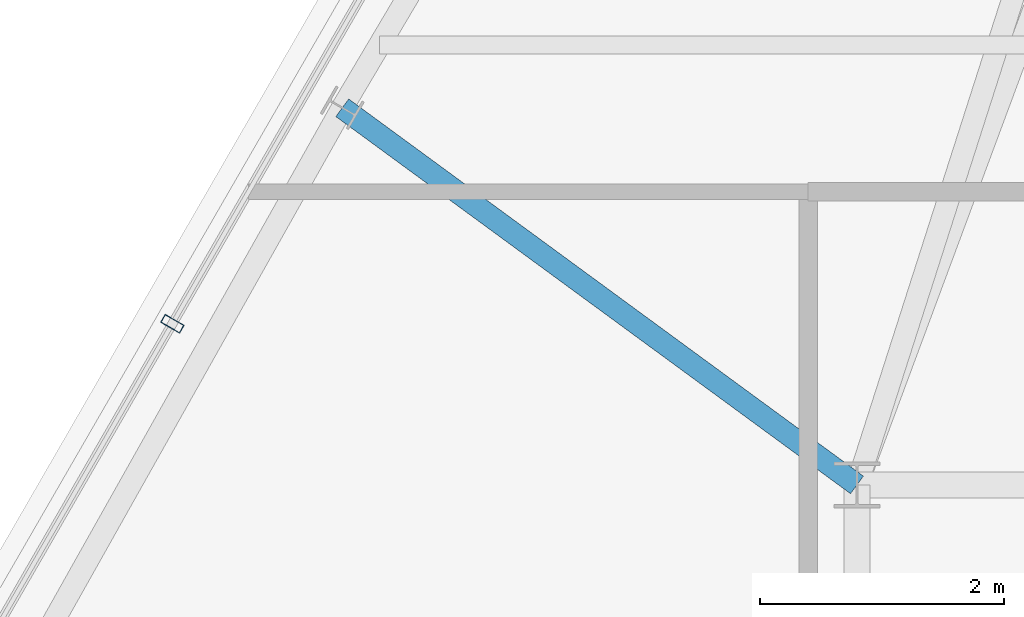
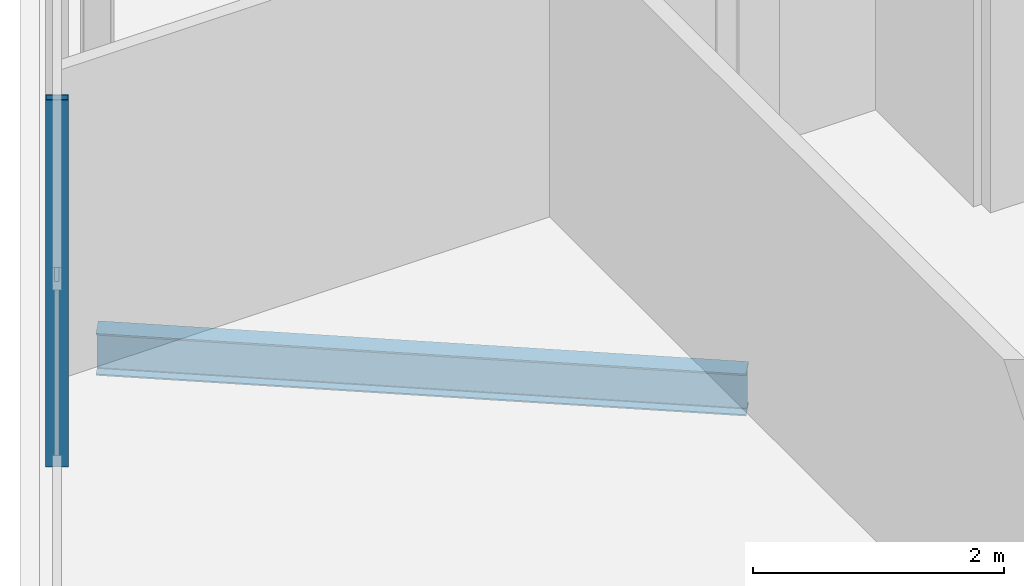
# One storey, part 11 of 32: 1 beam, 1 member, 1 element without a shape of its own.
"""IFC4 building model written with IfcOpenShell, lengths in metres."""

import ifcopenshell
import ifcopenshell.guid

model = None  # the IFC model being written
_history = None  # IfcOwnerHistory: only IFC2X3 demands one
_inside = {}  # id of a spatial element -> (the spatial element, [elements in it])
_under = {}  # id of a project, library or spatial element -> (it, [spatial elements below it])
_declared = {}  # id of a project -> (the project, [libraries it declares])
_typed = {}  # id of a type object -> (the type object, [elements of that type])
_made_of = {}  # id of a material, layer set ... -> (it, [elements and type objects made of it])


def new_model(schema):
    """Start an empty IFC model of exactly this schema.

    Asked for "IFC4X3", IfcOpenShell would pick the latest addendum, in which some entities
    have other attributes; the version numbers below select the first issue.
    IFC2X3 requires an IfcOwnerHistory on every rooted entity: one is made here for all.
    """
    global model, _history
    if schema == "IFC4X3":
        model = ifcopenshell.file(schema_version=(4, 3, 0, 0))
    else:
        model = ifcopenshell.file(schema=schema)
    _inside.clear()
    _under.clear()
    _declared.clear()
    _typed.clear()
    _made_of.clear()
    _history = None
    if model.schema == "IFC2X3":
        org = make("IfcOrganization", Name="unknown")
        user = make(
            "IfcPersonAndOrganization",
            ThePerson=make("IfcPerson", FamilyName="unknown"),
            TheOrganization=org,
        )
        app = make(
            "IfcApplication",
            ApplicationDeveloper=org,
            Version="unknown",
            ApplicationFullName="unknown",
            ApplicationIdentifier="unknown",
        )
        _history = make(
            "IfcOwnerHistory",
            OwningUser=user,
            OwningApplication=app,
            ChangeAction="ADDED",
            CreationDate=0,
        )
    return model


def make(cls, **values):
    """One entity of the class cls with the attributes given. An attribute that is None is left unset."""
    return model.create_entity(
        cls, **{name: value for name, value in values.items() if value is not None}
    )


def rooted(cls, **values):
    """An entity with a GlobalId (a new one), such as an element, a storey or a relation."""
    return make(cls, GlobalId=ifcopenshell.guid.new(), OwnerHistory=_history, **values)


def si_unit(unit_type, name, prefix=None):
    """IfcSIUnit, for example si_unit("LENGTHUNIT", "METRE", prefix="MILLI")."""
    return make("IfcSIUnit", UnitType=unit_type, Prefix=prefix, Name=name)


def assignment(units):
    """IfcUnitAssignment: the units of a project."""
    return None if units is None else make("IfcUnitAssignment", Units=units)


def point(xyz):
    """IfcCartesianPoint."""
    return None if xyz is None else make("IfcCartesianPoint", Coordinates=xyz)


def direction(xyz):
    """IfcDirection."""
    return None if xyz is None else make("IfcDirection", DirectionRatios=xyz)


def frame(location, z_axis=None, x_axis=None):
    """IfcAxis2Placement3D, a coordinate frame: its origin and axes. An axis left out is left unset."""
    return make(
        "IfcAxis2Placement3D",
        Location=point(location),
        Axis=direction(z_axis),
        RefDirection=direction(x_axis),
    )


def frame_2d(location, x_axis=None):
    """IfcAxis2Placement2D, a coordinate frame in the plane: its origin and x axis."""
    return make(
        "IfcAxis2Placement2D", Location=point(location), RefDirection=direction(x_axis)
    )


def origin():
    """The frame at (0, 0, 0) with its axes left unset."""
    return frame((0.0, 0.0, 0.0))


def origin_2d():
    """The frame at (0, 0) in the plane with its x axis left unset."""
    return frame_2d((0.0, 0.0))


def place(relative_to, where):
    """IfcLocalPlacement: puts the frame where relative to a parent placement (None: the world)."""
    return make(
        "IfcLocalPlacement", PlacementRelTo=relative_to, RelativePlacement=where
    )


def context(
    kind, dimensions, precision=None, world=None, true_north=None, identifier=None
):
    """IfcGeometricRepresentationContext, for example the 3D "Model" context."""
    return make(
        "IfcGeometricRepresentationContext",
        ContextIdentifier=identifier,
        ContextType=kind,
        CoordinateSpaceDimension=dimensions,
        Precision=precision,
        WorldCoordinateSystem=world,
        TrueNorth=true_north,
    )


def subcontext(parent, identifier, kind, view, scale=None):
    """IfcGeometricRepresentationSubContext, for example "Body" below "Model"."""
    return make(
        "IfcGeometricRepresentationSubContext",
        ContextIdentifier=identifier,
        ContextType=kind,
        ParentContext=parent,
        TargetScale=scale,
        TargetView=view,
    )


def project(units=None, contexts=None):
    """IfcProject with its units and contexts."""
    return rooted(
        "IfcProject",
        Name="project",
        RepresentationContexts=contexts,
        UnitsInContext=assignment(units),
    )


def spatial(cls, under=None, at=None, **own):
    """A site, building, storey or space (cls), placed at a placement, below another one or the project."""
    s = rooted(cls, ObjectPlacement=at, **own)
    if under is not None:
        _under.setdefault(under.id(), (under, []))[1].append(s)
    return s


def profile(cls, at=None, kind="AREA", **sizes):
    """A parametric profile (cls). Its sizes go by their IFC names, for example OverallWidth=200.0."""
    return make(cls, ProfileType=kind, Position=at, **sizes)


def hollow_rectangle(**sizes):
    """IfcRectangleHollowProfileDef."""
    return profile("IfcRectangleHollowProfileDef", **sizes)


def i_section(**sizes):
    """IfcIShapeProfileDef."""
    return profile("IfcIShapeProfileDef", **sizes)


def extrude(swept, where, along, depth):
    """IfcExtrudedAreaSolid: the profile swept, set in the frame where, extruded along a direction by depth."""
    return make(
        "IfcExtrudedAreaSolid",
        SweptArea=swept,
        Position=where,
        ExtrudedDirection=direction(along),
        Depth=depth,
    )


def shape(context_of_items, identifier, shape_type, items):
    """IfcShapeRepresentation: the items that make up one representation, for example the "Body"."""
    return make(
        "IfcShapeRepresentation",
        ContextOfItems=context_of_items,
        RepresentationIdentifier=identifier,
        RepresentationType=shape_type,
        Items=items,
    )


def material(Name=None, Category=None):
    """IfcMaterial."""
    return make("IfcMaterial", Name=Name, Category=Category)


def layer(
    of_material, thickness, ventilated=None, Name=None, Category=None, Priority=None
):
    """IfcMaterialLayer: one layer of a wall or slab, of a material (None: an air gap)."""
    return make(
        "IfcMaterialLayer",
        Material=of_material,
        LayerThickness=thickness,
        IsVentilated=ventilated,
        Name=Name,
        Category=Category,
        Priority=Priority,
    )


def layer_set(layers, Name=None):
    """IfcMaterialLayerSet."""
    return make("IfcMaterialLayerSet", MaterialLayers=layers, LayerSetName=Name)


def material_profile(
    of_material, cross_section, Name=None, Category=None, Priority=None
):
    """IfcMaterialProfile: a cross section and its material."""
    return make(
        "IfcMaterialProfile",
        Name=Name,
        Material=of_material,
        Profile=cross_section,
        Priority=Priority,
        Category=Category,
    )


def profile_set(profiles, Name=None, composite=None):
    """IfcMaterialProfileSet."""
    return make(
        "IfcMaterialProfileSet",
        Name=Name,
        MaterialProfiles=profiles,
        CompositeProfile=composite,
    )


def made_of(thing, what):
    """Note that an element or type object is made of a material, layer set ...; save() writes the relation."""
    if what is not None:
        _made_of.setdefault(what.id(), (what, []))[1].append(thing)
    return thing


def type_object(cls, material=None, **own):
    """A type object (cls), such as IfcWallType, which elements share."""
    return made_of(rooted(cls, **own), material)


def element(
    cls,
    number,
    at=None,
    inside=None,
    cuts=None,
    type_object=None,
    material=None,
    context=None,
    identifier="Body",
    shape_type=None,
    held_by="IfcProductDefinitionShape",
    body=None,
    shapes=None,
    **own,
):
    """One element of the class cls, such as IfcWall. Its Tag is "e" and its number.

    at: its placement. inside: the storey or other place that contains it. cuts: it is an
    opening in that element (IfcRelVoidsElement). A single representation is given by context,
    identifier, shape_type and body (its items); several are given by shapes. held_by: the class
    of the entity that holds the representations. save() writes the other relations.
    """
    e = rooted(cls, Tag="e%d" % number, ObjectPlacement=at, **own)
    if body is not None:
        shapes = [shape(context, identifier, shape_type, body)]
    if shapes is not None:
        e.Representation = make(held_by, Representations=shapes)
    if inside is not None:
        _inside.setdefault(inside.id(), (inside, []))[1].append(e)
    if cuts is not None:
        rooted(
            "IfcRelVoidsElement", RelatingBuildingElement=cuts, RelatedOpeningElement=e
        )
    if type_object is not None:
        _typed.setdefault(type_object.id(), (type_object, []))[1].append(e)
    return made_of(e, material)


def aggregate(whole, parts):
    """IfcRelAggregates: a whole, such as a stair, and the parts it consists of."""
    return rooted("IfcRelAggregates", RelatingObject=whole, RelatedObjects=parts)


def save(model, path):
    """Write the relations noted so far, then the file.

    IfcRelAggregates (storeys below a building ...), IfcRelContainedInSpatialStructure (elements
    in a storey), IfcRelDefinesByType, IfcRelAssociatesMaterial and IfcRelDeclares: one each for
    every whole, place, type object, material and project.
    """
    for whole, parts in _under.values():
        aggregate(whole, parts)
    for where, things in _inside.values():
        rooted(
            "IfcRelContainedInSpatialStructure",
            RelatedElements=things,
            RelatingStructure=where,
        )
    for kind, things in _typed.values():
        rooted("IfcRelDefinesByType", RelatedObjects=things, RelatingType=kind)
    for what, things in _made_of.values():
        rooted("IfcRelAssociatesMaterial", RelatedObjects=things, RelatingMaterial=what)
    for by, libraries in _declared.values():
        rooted("IfcRelDeclares", RelatingContext=by, RelatedDefinitions=libraries)
    model.write(path)


model = new_model("IFC4")

# Units and contexts
model_context = context("Model", 3, precision=1e-05, world=origin(), true_north=direction((0.0, 1.0)))
body_context = subcontext(model_context, "Body", "Model", "MODEL_VIEW")
ifc_project = project(units=[si_unit("LENGTHUNIT", "METRE"), si_unit("AREAUNIT", "SQUARE_METRE"), si_unit("VOLUMEUNIT", "CUBIC_METRE"), si_unit("PLANEANGLEUNIT", "RADIAN"), si_unit("MASSUNIT", "GRAM", prefix="KILO")], contexts=[model_context])

# Site, building, storey
site_placement = place(None, origin())
site = spatial("IfcSite", under=ifc_project, at=site_placement, CompositionType="ELEMENT")
building_placement = place(site_placement, origin())
building = spatial("IfcBuilding", under=site, at=building_placement, Name="Ndaravel Arena Tower", CompositionType="ELEMENT")
storey_placement = place(building_placement, frame((0.0, 0.0, 283.300048828125)))
storey = spatial("IfcBuildingStorey", under=building, at=storey_placement, Name="L69", CompositionType="ELEMENT", Elevation=283.300048828125)

# Beam
ifc_material_1 = material(Name="Steel S355", Category="steel")
ifc_material_profile_1 = material_profile(ifc_material_1, i_section(OverallWidth=0.1787109375, OverallDepth=0.409423828125, WebThickness=0.0087890625, FlangeThickness=0.014404296875, FilletRadius=0.01025390625, at=origin_2d()), Name="UB 406x178x67")
ifc_profile_set_1 = profile_set([ifc_material_profile_1], Name="Steel S355")
beam_type = type_object("IfcBeamType", Name="BM-GIRD-UB406", PredefinedType="BEAM", material=ifc_profile_set_1)
beam_placement = place(storey_placement, frame((29.9873046875, 26.286865234375, -0.4248046875), z_axis=(0.806620438132, -0.59106976643, 0.0), x_axis=(0.59106976643, 0.806620438132, 0.0)))
element("IfcBeam", 1, at=beam_placement, inside=storey, type_object=beam_type, Name="L69 Radial Floor Girder FG-19", PredefinedType="BEAM", context=body_context, shape_type="SweptSolid", body=[
    extrude(i_section(OverallWidth=0.1787109375, OverallDepth=0.409423828125, WebThickness=0.0087890625, FlangeThickness=0.014404296875, FilletRadius=0.01025390625, at=origin_2d()), origin(), (0.0, 0.0, 1.0), 5.22265625),
])

# Curtain wall, member
ifc_material_2 = material(Name="Aluminium", Category="aluminium")
ifc_layer = layer(ifc_material_2, 0.179931640625)
ifc_layer_set = layer_set([ifc_layer], Name="Aluminium")
curtain_wall_type = type_object("IfcCurtainWallType", Name="CW-SYS-03", PredefinedType="NOTDEFINED", material=ifc_layer_set)
curtain_wall_placement = place(storey_placement, origin())
curtain_wall = element("IfcCurtainWall", 2, at=curtain_wall_placement, inside=storey, type_object=curtain_wall_type, Name="L69 Faceted Crystal Curtain Wall CW-L69-E05", PredefinedType="NOTDEFINED")
ifc_material_3 = material(Name="Aluminium", Category="aluminium")
ifc_material_profile_2 = material_profile(ifc_material_3, hollow_rectangle(XDim=0.074951171875, YDim=0.179931640625, WallThickness=0.00390625, at=origin_2d()), Name="CW MULLION 75x180x4")
ifc_profile_set_2 = profile_set([ifc_material_profile_2], Name="Aluminium")
member_type = type_object("IfcMemberType", Name="MEM-CW-MUL180", PredefinedType="MULLION", material=ifc_profile_set_2)
member_placement = place(storey_placement, frame((28.596923828125, 24.518798828125, 0.0), z_axis=(0.0, 0.0, 1.0), x_axis=(-0.5, -0.866025403784, 0.0)))
member = element("IfcMember", 3, at=member_placement, type_object=member_type, Name="CW-L69-E05 Mullion 05", PredefinedType="MULLION", context=body_context, shape_type="SweptSolid", body=[
    extrude(hollow_rectangle(XDim=0.074951171875, YDim=0.179931640625, WallThickness=0.00390625, at=origin_2d()), origin(), (0.0, 0.0, 1.0), 3.579833984375),
])
aggregate(curtain_wall, [member])

save(model, "model.ifc")
